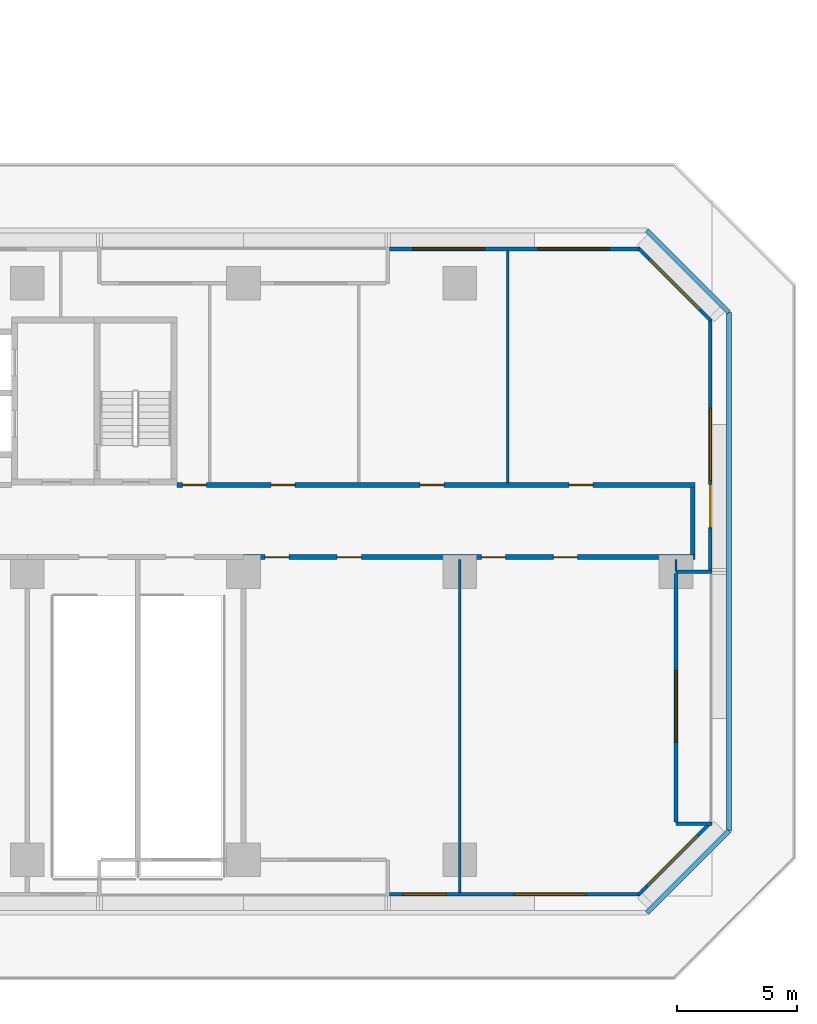
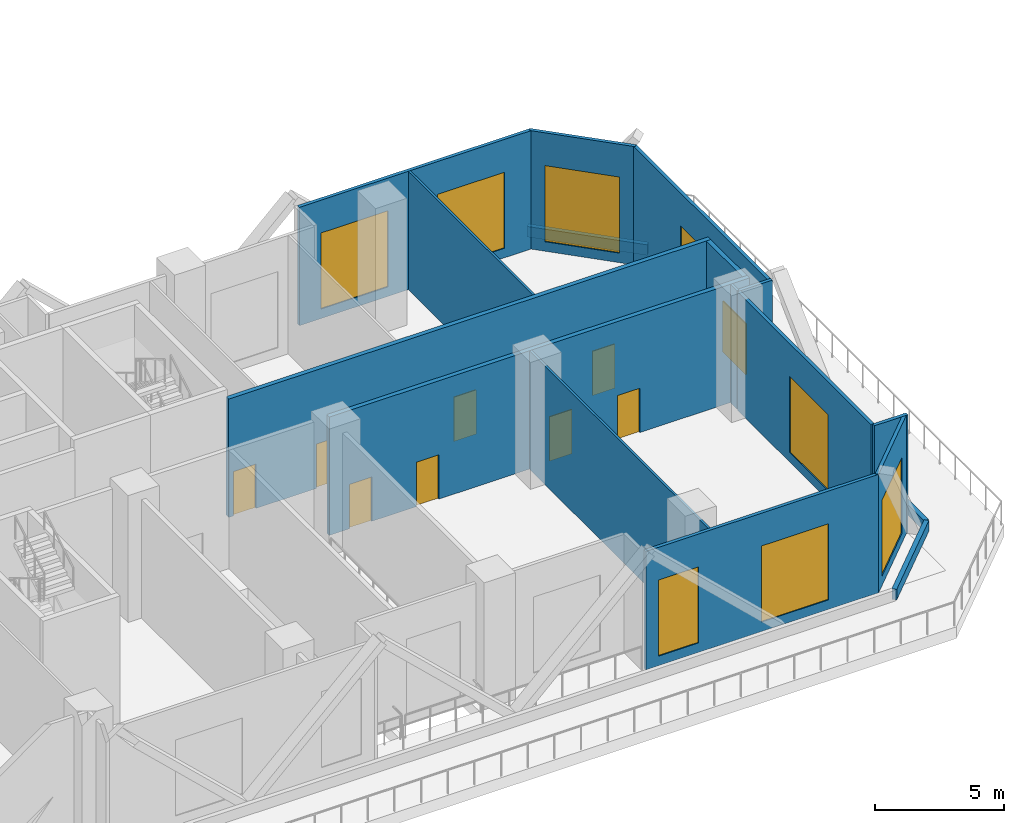
# One storey, part 9 of 16: 17 walls, 9 doors, 8 windows, 17 openings.
"""IFC4 building model written with IfcOpenShell, lengths in metres."""

from ifc_helpers import new_model, si_unit, direction, frame, frame_2d, origin, place, context, subcontext, project, spatial, rectangle, extrude, material, layer, layer_set, type_object, element, fill, save


model = new_model("IFC4")

# Units and contexts
model_context = context("Model", 3, precision=1e-05, world=origin(), true_north=direction((0.0, 1.0)))
body_context = subcontext(model_context, "Body", "Model", "MODEL_VIEW")
ifc_project = project(units=[si_unit("LENGTHUNIT", "METRE"), si_unit("AREAUNIT", "SQUARE_METRE"), si_unit("VOLUMEUNIT", "CUBIC_METRE"), si_unit("PLANEANGLEUNIT", "RADIAN"), si_unit("MASSUNIT", "GRAM", prefix="KILO")], contexts=[model_context])

# Site, building, storey
site_placement = place(None, origin())
site = spatial("IfcSite", under=ifc_project, at=site_placement, CompositionType="ELEMENT")
building_placement = place(site_placement, origin())
building = spatial("IfcBuilding", under=site, at=building_placement, Name="Chenar Terraces", CompositionType="ELEMENT")
storey_placement = place(building_placement, frame((0.0, 0.0, 35.39990234375)))
storey = spatial("IfcBuildingStorey", under=building, at=storey_placement, Name="L06", CompositionType="ELEMENT", Elevation=35.39990234375)

# Wall, openings, doors
ifc_material_1 = material(Name="Gypsum board on steel studs with fire boards", Category="steel")
ifc_layer_1 = layer(ifc_material_1, 0.199951171875)
ifc_layer_set_1 = layer_set([ifc_layer_1], Name="Gypsum board on steel studs with fire boards")
wall_type_1 = type_object("IfcWallType", Name="Corridor wall 200", PredefinedType="PARTITIONING", material=ifc_layer_set_1)
wall_1_placement = place(storey_placement, frame((51.22509765625, 15.60009765625, 0.0), z_axis=(0.0, 0.0, 1.0), x_axis=(1.0, 0.0, 0.0)))
wall_1 = element("IfcWall", 1, at=wall_1_placement, inside=storey, type_object=wall_type_1, Name="Partition L06-053", PredefinedType="PARTITIONING", context=body_context, shape_type="SweptSolid", body=[
    extrude(rectangle(XDim=21.574951171875, YDim=0.199951171875, at=frame_2d((10.78759765625, 0.0))), origin(), (0.0, 0.0, 1.0), 5.60009765625),
])
opening_1_placement = place(wall_1_placement, frame((0.22509765625, 0.0, 0.0)))
opening_1 = element("IfcOpeningElement", 2, at=opening_1_placement, cuts=wall_1, Name="Opening DL06-2", PredefinedType="OPENING", context=body_context, shape_type="SweptSolid", body=[
    extrude(rectangle(XDim=1.0, YDim=2.10009765625, at=frame_2d((0.5, 1.050048828125))), frame((0.0, 0.10986328125, 0.0), z_axis=(0.0, -1.0, 0.0), x_axis=(1.0, 0.0, 0.0)), (0.0, 0.0, 1.0), 0.219970703125),
])
opening_2_placement = place(wall_1_placement, frame((3.925048828125, 0.0, 0.0)))
opening_2 = element("IfcOpeningElement", 3, at=opening_2_placement, cuts=wall_1, Name="Opening DL06-3", PredefinedType="OPENING", context=body_context, shape_type="SweptSolid", body=[
    extrude(rectangle(XDim=1.0, YDim=2.10009765625, at=frame_2d((0.5, 1.050048828125))), frame((0.0, 0.10986328125, 0.0), z_axis=(0.0, -1.0, 0.0), x_axis=(1.0, 0.0, 0.0)), (0.0, 0.0, 1.0), 0.219970703125),
])
opening_3_placement = place(wall_1_placement, frame((10.125, 0.0, 0.0)))
opening_3 = element("IfcOpeningElement", 4, at=opening_3_placement, cuts=wall_1, Name="Opening DL06-4", PredefinedType="OPENING", context=body_context, shape_type="SweptSolid", body=[
    extrude(rectangle(XDim=1.0, YDim=2.10009765625, at=frame_2d((0.5, 1.050048828125))), frame((0.0, 0.10986328125, 0.0), z_axis=(0.0, -1.0, 0.0), x_axis=(1.0, 0.0, 0.0)), (0.0, 0.0, 1.0), 0.219970703125),
])
opening_4_placement = place(wall_1_placement, frame((16.324951171875, 0.0, 0.0)))
opening_4 = element("IfcOpeningElement", 5, at=opening_4_placement, cuts=wall_1, Name="Opening DL06-5", PredefinedType="OPENING", context=body_context, shape_type="SweptSolid", body=[
    extrude(rectangle(XDim=1.0, YDim=2.10009765625, at=frame_2d((0.5, 1.050048828125))), frame((0.0, 0.10986328125, 0.0), z_axis=(0.0, -1.0, 0.0), x_axis=(1.0, 0.0, 0.0)), (0.0, 0.0, 1.0), 0.219970703125),
])
ifc_material_2 = material(Name="Steel-framed fire-resisting door leaf", Category="steel")
door_type_1 = type_object("IfcDoorType", Name="Fire door FD60 1000 x 2100", OperationType="SINGLE_SWING_LEFT", PredefinedType="DOOR", material=ifc_material_2)
door_1_placement = place(opening_1_placement, origin())
door_1 = element("IfcDoor", 6, at=door_1_placement, inside=storey, type_object=door_type_1, Name="Door DL06-2", OperationType="SINGLE_SWING_RIGHT", OverallHeight=2.10009765625, OverallWidth=1.0, PredefinedType="DOOR", context=body_context, shape_type="SweptSolid", body=[
    extrude(rectangle(XDim=1.0, YDim=2.10009765625, at=frame_2d((0.5, 1.050048828125))), frame((0.0, 0.02490234375, 0.0), z_axis=(0.0, -1.0, 0.0), x_axis=(1.0, 0.0, 0.0)), (0.0, 0.0, 1.0), 0.050048828125),
])
fill(opening_1, door_1)
door_2_placement = place(opening_2_placement, origin())
door_2 = element("IfcDoor", 7, at=door_2_placement, inside=storey, type_object=door_type_1, Name="Door DL06-3", OperationType="SINGLE_SWING_LEFT", OverallHeight=2.10009765625, OverallWidth=1.0, PredefinedType="DOOR", context=body_context, shape_type="SweptSolid", body=[
    extrude(rectangle(XDim=1.0, YDim=2.10009765625, at=frame_2d((0.5, 1.050048828125))), frame((0.0, 0.02490234375, 0.0), z_axis=(0.0, -1.0, 0.0), x_axis=(1.0, 0.0, 0.0)), (0.0, 0.0, 1.0), 0.050048828125),
])
fill(opening_2, door_2)
door_3_placement = place(opening_3_placement, origin())
door_3 = element("IfcDoor", 8, at=door_3_placement, inside=storey, type_object=door_type_1, Name="Door DL06-4", OperationType="SINGLE_SWING_LEFT", OverallHeight=2.10009765625, OverallWidth=1.0, PredefinedType="DOOR", context=body_context, shape_type="SweptSolid", body=[
    extrude(rectangle(XDim=1.0, YDim=2.10009765625, at=frame_2d((0.5, 1.050048828125))), frame((0.0, 0.02490234375, 0.0), z_axis=(0.0, -1.0, 0.0), x_axis=(1.0, 0.0, 0.0)), (0.0, 0.0, 1.0), 0.050048828125),
])
fill(opening_3, door_3)
door_4_placement = place(opening_4_placement, origin())
door_4 = element("IfcDoor", 9, at=door_4_placement, inside=storey, type_object=door_type_1, Name="Door DL06-5", OperationType="SINGLE_SWING_LEFT", OverallHeight=2.10009765625, OverallWidth=1.0, PredefinedType="DOOR", context=body_context, shape_type="SweptSolid", body=[
    extrude(rectangle(XDim=1.0, YDim=2.10009765625, at=frame_2d((0.5, 1.050048828125))), frame((0.0, 0.02490234375, 0.0), z_axis=(0.0, -1.0, 0.0), x_axis=(1.0, 0.0, 0.0)), (0.0, 0.0, 1.0), 0.050048828125),
])
fill(opening_4, door_4)

wall_2_placement = place(storey_placement, frame((54.0, 12.60009765625, 0.0), z_axis=(0.0, 0.0, 1.0), x_axis=(1.0, 0.0, 0.0)))
wall_2 = element("IfcWall", 10, at=wall_2_placement, inside=storey, type_object=wall_type_1, Name="Partition L06-056", PredefinedType="PARTITIONING", context=body_context, shape_type="SweptSolid", body=[
    extrude(rectangle(XDim=18.800048828125, YDim=0.199951171875, at=frame_2d((9.39990234375, 0.0))), origin(), (0.0, 0.0, 1.0), 5.60009765625),
])
opening_5_placement = place(wall_2_placement, frame((3.89990234375, 0.0, 0.0)))
opening_5 = element("IfcOpeningElement", 11, at=opening_5_placement, cuts=wall_2, Name="Opening DL06-8", PredefinedType="OPENING", context=body_context, shape_type="SweptSolid", body=[
    extrude(rectangle(XDim=1.0, YDim=2.10009765625, at=frame_2d((0.5, 1.050048828125))), frame((0.0, 0.10986328125, 0.0), z_axis=(0.0, -1.0, 0.0), x_axis=(1.0, 0.0, 0.0)), (0.0, 0.0, 1.0), 0.219970703125),
])
opening_6_placement = place(wall_2_placement, frame((0.89990234375, 0.0, 0.0)))
opening_6 = element("IfcOpeningElement", 12, at=opening_6_placement, cuts=wall_2, Name="Opening DL06-9", PredefinedType="OPENING", context=body_context, shape_type="SweptSolid", body=[
    extrude(rectangle(XDim=1.0, YDim=2.10009765625, at=frame_2d((0.5, 1.050048828125))), frame((0.0, 0.10986328125, 0.0), z_axis=(0.0, -1.0, 0.0), x_axis=(1.0, 0.0, 0.0)), (0.0, 0.0, 1.0), 0.219970703125),
])
opening_7_placement = place(wall_2_placement, frame((12.89990234375, 0.0, 0.0)))
opening_7 = element("IfcOpeningElement", 13, at=opening_7_placement, cuts=wall_2, Name="Opening DL06-10", PredefinedType="OPENING", context=body_context, shape_type="SweptSolid", body=[
    extrude(rectangle(XDim=1.0, YDim=2.10009765625, at=frame_2d((0.5, 1.050048828125))), frame((0.0, 0.10986328125, 0.0), z_axis=(0.0, -1.0, 0.0), x_axis=(1.0, 0.0, 0.0)), (0.0, 0.0, 1.0), 0.219970703125),
])
opening_8_placement = place(wall_2_placement, frame((9.89990234375, 0.0, 0.0)))
opening_8 = element("IfcOpeningElement", 14, at=opening_8_placement, cuts=wall_2, Name="Opening DL06-11", PredefinedType="OPENING", context=body_context, shape_type="SweptSolid", body=[
    extrude(rectangle(XDim=1.0, YDim=2.10009765625, at=frame_2d((0.5, 1.050048828125))), frame((0.0, 0.10986328125, 0.0), z_axis=(0.0, -1.0, 0.0), x_axis=(1.0, 0.0, 0.0)), (0.0, 0.0, 1.0), 0.219970703125),
])
door_5_placement = place(opening_5_placement, frame((1.0, 0.0, 0.0), z_axis=(0.0, 0.0, 1.0), x_axis=(-1.0, 0.0, 0.0)))
door_5 = element("IfcDoor", 15, at=door_5_placement, inside=storey, type_object=door_type_1, Name="Door DL06-8", OperationType="SINGLE_SWING_RIGHT", OverallHeight=2.10009765625, OverallWidth=1.0, PredefinedType="DOOR", context=body_context, shape_type="SweptSolid", body=[
    extrude(rectangle(XDim=1.0, YDim=2.10009765625, at=frame_2d((0.5, 1.050048828125))), frame((0.0, 0.02490234375, 0.0), z_axis=(0.0, -1.0, 0.0), x_axis=(1.0, 0.0, 0.0)), (0.0, 0.0, 1.0), 0.050048828125),
])
fill(opening_5, door_5)
door_6_placement = place(opening_6_placement, frame((1.0, 0.0, 0.0), z_axis=(0.0, 0.0, 1.0), x_axis=(-1.0, 0.0, 0.0)))
door_6 = element("IfcDoor", 16, at=door_6_placement, inside=storey, type_object=door_type_1, Name="Door DL06-9", OperationType="SINGLE_SWING_RIGHT", OverallHeight=2.10009765625, OverallWidth=1.0, PredefinedType="DOOR", context=body_context, shape_type="SweptSolid", body=[
    extrude(rectangle(XDim=1.0, YDim=2.10009765625, at=frame_2d((0.5, 1.050048828125))), frame((0.0, 0.02490234375, 0.0), z_axis=(0.0, -1.0, 0.0), x_axis=(1.0, 0.0, 0.0)), (0.0, 0.0, 1.0), 0.050048828125),
])
fill(opening_6, door_6)
door_7_placement = place(opening_7_placement, frame((1.0, 0.0, 0.0), z_axis=(0.0, 0.0, 1.0), x_axis=(-1.0, 0.0, 0.0)))
door_7 = element("IfcDoor", 17, at=door_7_placement, inside=storey, type_object=door_type_1, Name="Door DL06-10", OperationType="SINGLE_SWING_RIGHT", OverallHeight=2.10009765625, OverallWidth=1.0, PredefinedType="DOOR", context=body_context, shape_type="SweptSolid", body=[
    extrude(rectangle(XDim=1.0, YDim=2.10009765625, at=frame_2d((0.5, 1.050048828125))), frame((0.0, 0.02490234375, 0.0), z_axis=(0.0, -1.0, 0.0), x_axis=(1.0, 0.0, 0.0)), (0.0, 0.0, 1.0), 0.050048828125),
])
fill(opening_7, door_7)
door_8_placement = place(opening_8_placement, frame((1.0, 0.0, 0.0), z_axis=(0.0, 0.0, 1.0), x_axis=(-1.0, 0.0, 0.0)))
door_8 = element("IfcDoor", 18, at=door_8_placement, inside=storey, type_object=door_type_1, Name="Door DL06-11", OperationType="SINGLE_SWING_RIGHT", OverallHeight=2.10009765625, OverallWidth=1.0, PredefinedType="DOOR", context=body_context, shape_type="SweptSolid", body=[
    extrude(rectangle(XDim=1.0, YDim=2.10009765625, at=frame_2d((0.5, 1.050048828125))), frame((0.0, 0.02490234375, 0.0), z_axis=(0.0, -1.0, 0.0), x_axis=(1.0, 0.0, 0.0)), (0.0, 0.0, 1.0), 0.050048828125),
])
fill(opening_8, door_8)

# Wall
wall_3_placement = place(storey_placement, frame((72.699951171875, 12.699951171875, 0.0), z_axis=(0.0, 0.0, 1.0), x_axis=(0.0, 1.0, 0.0)))
element("IfcWall", 19, at=wall_3_placement, inside=storey, type_object=wall_type_1, Name="Partition L06-061", PredefinedType="PARTITIONING", context=body_context, shape_type="SweptSolid", body=[
    extrude(rectangle(XDim=2.800048828125, YDim=0.199951171875, at=frame_2d((1.39990234375, 0.0))), origin(), (0.0, 0.0, 1.0), 5.60009765625),
])

# Wall, openings, windows
ifc_material_3 = material(Name="Aluminium framed glazing", Category="aluminium")
ifc_layer_2 = layer(ifc_material_3, 0.14990234375)
ifc_layer_set_2 = layer_set([ifc_layer_2], Name="Aluminium framed glazing")
wall_type_2 = type_object("IfcWallType", Name="Glazed flush facade wall 150", PredefinedType="SOLIDWALL", material=ifc_layer_set_2)
wall_4_placement = place(storey_placement, frame((70.5, 25.425048828125, 0.0), z_axis=(0.0, 0.0, 1.0), x_axis=(-1.0, 0.0, 0.0)))
wall_4 = element("IfcWall", 20, at=wall_4_placement, inside=storey, type_object=wall_type_2, Name="Glazed flush facade wall", PredefinedType="SOLIDWALL", context=body_context, shape_type="SweptSolid", body=[
    extrude(rectangle(XDim=10.425048828125, YDim=0.14990234375, at=frame_2d((5.21240234375, 0.0))), origin(), (0.0, 0.0, 1.0), 5.60009765625),
])
opening_9_placement = place(wall_4_placement, frame((1.25, 0.0, 0.449951171875)))
opening_9 = element("IfcOpeningElement", 21, at=opening_9_placement, cuts=wall_4, Name="Opening W300x360", PredefinedType="OPENING", context=body_context, shape_type="SweptSolid", body=[
    extrude(rectangle(XDim=3.0, YDim=3.60009765625, at=frame_2d((1.5, 1.800048828125))), frame((0.0, 0.0849609375, 0.0), z_axis=(0.0, -1.0, 0.0), x_axis=(1.0, 0.0, 0.0)), (0.0, 0.0, 1.0), 0.169921875),
])
opening_10_placement = place(wall_4_placement, frame((6.46240234375, 0.0, 0.449951171875)))
opening_10 = element("IfcOpeningElement", 22, at=opening_10_placement, cuts=wall_4, Name="Opening W300x360", PredefinedType="OPENING", context=body_context, shape_type="SweptSolid", body=[
    extrude(rectangle(XDim=3.0, YDim=3.60009765625, at=frame_2d((1.5, 1.800048828125))), frame((0.0, 0.0849609375, 0.0), z_axis=(0.0, -1.0, 0.0), x_axis=(1.0, 0.0, 0.0)), (0.0, 0.0, 1.0), 0.169921875),
])
ifc_material_4 = material(Name="Low emissivity double glazing, aluminium frame", Category="aluminium")
window_type_1 = type_object("IfcWindowType", Name="Fixed light 3000 x 3600", PartitioningType="SINGLE_PANEL", PredefinedType="WINDOW", material=ifc_material_4)
window_1_placement = place(opening_9_placement, origin())
window_1 = element("IfcWindow", 23, at=window_1_placement, inside=storey, type_object=window_type_1, Name="Window", OverallHeight=3.60009765625, OverallWidth=3.0, PartitioningType="SINGLE_PANEL", PredefinedType="WINDOW", context=body_context, shape_type="SweptSolid", body=[
    extrude(rectangle(XDim=3.0, YDim=3.60009765625, at=frame_2d((1.5, 1.800048828125))), frame((0.0, 0.030029296875, 0.0), z_axis=(0.0, -1.0, 0.0), x_axis=(1.0, 0.0, 0.0)), (0.0, 0.0, 1.0), 0.06005859375),
])
fill(opening_9, window_1)
window_2_placement = place(opening_10_placement, origin())
window_2 = element("IfcWindow", 24, at=window_2_placement, inside=storey, type_object=window_type_1, Name="Window", OverallHeight=3.60009765625, OverallWidth=3.0, PartitioningType="SINGLE_PANEL", PredefinedType="WINDOW", context=body_context, shape_type="SweptSolid", body=[
    extrude(rectangle(XDim=3.0, YDim=3.60009765625, at=frame_2d((1.5, 1.800048828125))), frame((0.0, 0.030029296875, 0.0), z_axis=(0.0, -1.0, 0.0), x_axis=(1.0, 0.0, 0.0)), (0.0, 0.0, 1.0), 0.06005859375),
])
fill(opening_10, window_2)

wall_5_placement = place(storey_placement, frame((60.074951171875, -1.425048828125, 0.0), z_axis=(0.0, 0.0, 1.0), x_axis=(1.0, 0.0, 0.0)))
wall_5 = element("IfcWall", 25, at=wall_5_placement, inside=storey, type_object=wall_type_2, Name="Glazed flush facade wall", PredefinedType="SOLIDWALL", context=body_context, shape_type="SweptSolid", body=[
    extrude(rectangle(XDim=10.425048828125, YDim=0.14990234375, at=frame_2d((5.21240234375, 0.0))), origin(), (0.0, 0.0, 1.0), 5.60009765625),
])
opening_11_placement = place(wall_5_placement, frame((0.5625, 0.0, 0.449951171875)))
opening_11 = element("IfcOpeningElement", 26, at=opening_11_placement, cuts=wall_5, Name="Opening W180x360", PredefinedType="OPENING", context=body_context, shape_type="SweptSolid", body=[
    extrude(rectangle(XDim=1.800048828125, YDim=3.60009765625, at=frame_2d((0.89990234375, 1.800048828125))), frame((0.0, 0.0849609375, 0.0), z_axis=(0.0, -1.0, 0.0), x_axis=(1.0, 0.0, 0.0)), (0.0, 0.0, 1.0), 0.169921875),
])
opening_12_placement = place(wall_5_placement, frame((5.175048828125, 0.0, 0.449951171875)))
opening_12 = element("IfcOpeningElement", 27, at=opening_12_placement, cuts=wall_5, Name="Opening W300x360", PredefinedType="OPENING", context=body_context, shape_type="SweptSolid", body=[
    extrude(rectangle(XDim=3.0, YDim=3.60009765625, at=frame_2d((1.5, 1.800048828125))), frame((0.0, 0.0849609375, 0.0), z_axis=(0.0, -1.0, 0.0), x_axis=(1.0, 0.0, 0.0)), (0.0, 0.0, 1.0), 0.169921875),
])
ifc_material_5 = material(Name="Low emissivity double glazing, aluminium frame", Category="aluminium")
window_type_2 = type_object("IfcWindowType", Name="Fixed light 1800 x 3600", PartitioningType="SINGLE_PANEL", PredefinedType="WINDOW", material=ifc_material_5)
window_3_placement = place(opening_11_placement, origin())
window_3 = element("IfcWindow", 28, at=window_3_placement, inside=storey, type_object=window_type_2, Name="Window", OverallHeight=3.60009765625, OverallWidth=1.800048828125, PartitioningType="SINGLE_PANEL", PredefinedType="WINDOW", context=body_context, shape_type="SweptSolid", body=[
    extrude(rectangle(XDim=1.800048828125, YDim=3.60009765625, at=frame_2d((0.89990234375, 1.800048828125))), frame((0.0, 0.030029296875, 0.0), z_axis=(0.0, -1.0, 0.0), x_axis=(1.0, 0.0, 0.0)), (0.0, 0.0, 1.0), 0.06005859375),
])
fill(opening_11, window_3)
window_4_placement = place(opening_12_placement, origin())
window_4 = element("IfcWindow", 29, at=window_4_placement, inside=storey, type_object=window_type_1, Name="Window", OverallHeight=3.60009765625, OverallWidth=3.0, PartitioningType="SINGLE_PANEL", PredefinedType="WINDOW", context=body_context, shape_type="SweptSolid", body=[
    extrude(rectangle(XDim=3.0, YDim=3.60009765625, at=frame_2d((1.5, 1.800048828125))), frame((0.0, 0.030029296875, 0.0), z_axis=(0.0, -1.0, 0.0), x_axis=(1.0, 0.0, 0.0)), (0.0, 0.0, 1.0), 0.06005859375),
])
fill(opening_12, window_4)

# Wall, openings, window, door
wall_6_placement = place(storey_placement, frame((73.425048828125, 12.074951171875, 0.0), z_axis=(0.0, 0.0, 1.0), x_axis=(0.0, 1.0, 0.0)))
wall_6 = element("IfcWall", 30, at=wall_6_placement, inside=storey, type_object=wall_type_2, Name="Glazed flush facade wall", PredefinedType="SOLIDWALL", context=body_context, shape_type="SweptSolid", body=[
    extrude(rectangle(XDim=10.425048828125, YDim=0.14990234375, at=frame_2d((5.21240234375, 0.0))), origin(), (0.0, 0.0, 1.0), 5.60009765625),
])
opening_13_placement = place(wall_6_placement, frame((3.71240234375, 0.0, 0.449951171875)))
opening_13 = element("IfcOpeningElement", 31, at=opening_13_placement, cuts=wall_6, Name="Opening W300x360", PredefinedType="OPENING", context=body_context, shape_type="SweptSolid", body=[
    extrude(rectangle(XDim=3.0, YDim=3.60009765625, at=frame_2d((1.5, 1.800048828125))), frame((0.0, 0.0849609375, 0.0), z_axis=(0.0, -1.0, 0.0), x_axis=(1.0, 0.0, 0.0)), (0.0, 0.0, 1.0), 0.169921875),
])
opening_14_placement = place(wall_6_placement, frame((1.75, 0.0, 0.0)))
opening_14 = element("IfcOpeningElement", 32, at=opening_14_placement, cuts=wall_6, Name="Opening DL06-X1", PredefinedType="OPENING", context=body_context, shape_type="SweptSolid", body=[
    extrude(rectangle(XDim=1.800048828125, YDim=2.39990234375, at=frame_2d((0.89990234375, 1.199951171875))), frame((0.0, 0.0849609375, 0.0), z_axis=(0.0, -1.0, 0.0), x_axis=(1.0, 0.0, 0.0)), (0.0, 0.0, 1.0), 0.169921875),
])
window_5_placement = place(opening_13_placement, origin())
window_5 = element("IfcWindow", 33, at=window_5_placement, inside=storey, type_object=window_type_1, Name="Window", OverallHeight=3.60009765625, OverallWidth=3.0, PartitioningType="SINGLE_PANEL", PredefinedType="WINDOW", context=body_context, shape_type="SweptSolid", body=[
    extrude(rectangle(XDim=3.0, YDim=3.60009765625, at=frame_2d((1.5, 1.800048828125))), frame((0.0, 0.030029296875, 0.0), z_axis=(0.0, -1.0, 0.0), x_axis=(1.0, 0.0, 0.0)), (0.0, 0.0, 1.0), 0.06005859375),
])
fill(opening_13, window_5)
ifc_material_6 = material(Name="Low emissivity double glazing, aluminium frame", Category="aluminium")
door_type_2 = type_object("IfcDoorType", Name="Terrace glazed double door 1800 x 2400", OperationType="DOUBLE_DOOR_SINGLE_SWING", PredefinedType="DOOR", material=ifc_material_6)
door_9_placement = place(opening_14_placement, frame((1.800048828125, 0.0, 0.0), z_axis=(0.0, 0.0, 1.0), x_axis=(-1.0, 0.0, 0.0)))
door_9 = element("IfcDoor", 34, at=door_9_placement, inside=storey, type_object=door_type_2, Name="Terrace glazed door", OperationType="DOUBLE_DOOR_SINGLE_SWING", OverallHeight=2.39990234375, OverallWidth=1.800048828125, PredefinedType="DOOR", context=body_context, shape_type="SweptSolid", body=[
    extrude(rectangle(XDim=1.800048828125, YDim=2.39990234375, at=frame_2d((0.89990234375, 1.199951171875))), frame((0.0, 0.02490234375, 0.0), z_axis=(0.0, -1.0, 0.0), x_axis=(1.0, 0.0, 0.0)), (0.0, 0.0, 1.0), 0.050048828125),
])
fill(opening_14, door_9)

# Wall, opening, window
ifc_material_7 = material(Name="Aluminium framed glazing", Category="aluminium")
ifc_layer_3 = layer(ifc_material_7, 0.14990234375)
ifc_layer_set_3 = layer_set([ifc_layer_3], Name="Aluminium framed glazing")
wall_type_3 = type_object("IfcWallType", Name="Glazed loggia back wall 150", PredefinedType="SOLIDWALL", material=ifc_layer_set_3)
wall_7_placement = place(storey_placement, frame((72.0, 1.574951171875, 0.0), z_axis=(0.0, 0.0, 1.0), x_axis=(0.0, 1.0, 0.0)))
wall_7 = element("IfcWall", 35, at=wall_7_placement, inside=storey, type_object=wall_type_3, Name="Glazed loggia back wall", PredefinedType="SOLIDWALL", context=body_context, shape_type="SweptSolid", body=[
    extrude(rectangle(XDim=10.35009765625, YDim=0.14990234375, at=frame_2d((5.175048828125, 0.0))), origin(), (0.0, 0.0, 1.0), 5.60009765625),
])
opening_15_placement = place(wall_7_placement, frame((3.3125, 0.0, 0.449951171875)))
opening_15 = element("IfcOpeningElement", 36, at=opening_15_placement, cuts=wall_7, Name="Opening W300x360", PredefinedType="OPENING", context=body_context, shape_type="SweptSolid", body=[
    extrude(rectangle(XDim=3.0, YDim=3.60009765625, at=frame_2d((1.5, 1.800048828125))), frame((0.0, 0.0849609375, 0.0), z_axis=(0.0, -1.0, 0.0), x_axis=(1.0, 0.0, 0.0)), (0.0, 0.0, 1.0), 0.169921875),
])
window_6_placement = place(opening_15_placement, origin())
window_6 = element("IfcWindow", 37, at=window_6_placement, inside=storey, type_object=window_type_1, Name="Window", OverallHeight=3.60009765625, OverallWidth=3.0, PartitioningType="SINGLE_PANEL", PredefinedType="WINDOW", context=body_context, shape_type="SweptSolid", body=[
    extrude(rectangle(XDim=3.0, YDim=3.60009765625, at=frame_2d((1.5, 1.800048828125))), frame((0.0, 0.030029296875, 0.0), z_axis=(0.0, -1.0, 0.0), x_axis=(1.0, 0.0, 0.0)), (0.0, 0.0, 1.0), 0.06005859375),
])
fill(opening_15, window_6)

# Walls
ifc_material_8 = material(Name="Gypsum board on steel studs", Category="steel")
ifc_layer_4 = layer(ifc_material_8, 0.10009765625)
ifc_layer_set_4 = layer_set([ifc_layer_4], Name="Gypsum board on steel studs")
wall_type_4 = type_object("IfcWallType", Name="Gypsum partition 100", PredefinedType="PARTITIONING", material=ifc_layer_set_4)
wall_8_placement = place(storey_placement, frame((63.0, -1.35107421875, 0.0), z_axis=(0.0, 0.0, 1.0), x_axis=(0.0, 1.0, 0.0)))
element("IfcWall", 38, at=wall_8_placement, inside=storey, type_object=wall_type_4, Name="Partition L06-058", PredefinedType="PARTITIONING", context=body_context, shape_type="SweptSolid", body=[
    extrude(rectangle(XDim=13.85107421875, YDim=0.10009765625, at=frame_2d((6.925537109375, 0.0))), origin(), (0.0, 0.0, 1.0), 5.60009765625),
])
wall_9_placement = place(storey_placement, frame((65.0, 15.699951171875, 0.0), z_axis=(0.0, 0.0, 1.0), x_axis=(0.0, 1.0, 0.0)))
element("IfcWall", 39, at=wall_9_placement, inside=storey, type_object=wall_type_4, Name="Partition L06-059", PredefinedType="PARTITIONING", context=body_context, shape_type="SweptSolid", body=[
    extrude(rectangle(XDim=9.651123046875, YDim=0.10009765625, at=frame_2d((4.82568359375, 0.0))), origin(), (0.0, 0.0, 1.0), 5.60009765625),
])
wall_10_placement = place(storey_placement, frame((72.0, 12.0, 0.0), z_axis=(0.0, 0.0, 1.0), x_axis=(0.0, 1.0, 0.0)))
element("IfcWall", 40, at=wall_10_placement, inside=storey, type_object=wall_type_4, Name="Partition L06-060", PredefinedType="PARTITIONING", context=body_context, shape_type="SweptSolid", body=[
    extrude(rectangle(XDim=0.5, YDim=0.10009765625, at=frame_2d((0.25, 0.0))), origin(), (0.0, 0.0, 1.0), 5.60009765625),
])
ifc_material_9 = material(Name="Terracotta cladding on insulated backing", Category="masonry")
ifc_layer_5 = layer(ifc_material_9, 0.14990234375)
ifc_layer_set_5 = layer_set([ifc_layer_5], Name="Terracotta cladding on insulated backing")
wall_type_5 = type_object("IfcWallType", Name="Loggia return wall 150", PredefinedType="SOLIDWALL", material=ifc_layer_set_5)
for number, where, z_axis, x_axis, name in (
    (41, (73.5, 1.5, 0.0), (0.0, 0.0, 1.0), (-1.0, 0.0, 0.0), "Loggia return wall"),
    (42, (73.5, 12.0, 0.0), (0.0, 0.0, 1.0), (-1.0, 0.0, 0.0), "Loggia return wall"),
):
    element("IfcWall", number, at=place(storey_placement, frame(where, z_axis=z_axis, x_axis=x_axis)), inside=storey, type_object=wall_type_5, Name=name, PredefinedType="SOLIDWALL", context=body_context, shape_type="SweptSolid", body=[
        extrude(rectangle(XDim=1.5, YDim=0.14990234375, at=frame_2d((0.75, 0.0))), origin(), (0.0, 0.0, 1.0), 5.60009765625),
    ])
ifc_material_10 = material(Name="Terracotta cladding on insulated backing", Category="masonry")
ifc_layer_6 = layer(ifc_material_10, 0.199951171875)
ifc_layer_set_6 = layer_set([ifc_layer_6], Name="Terracotta cladding on insulated backing")
wall_type_6 = type_object("IfcWallType", Name="Terrace parapet upstand 200", PredefinedType="PARAPET", material=ifc_layer_set_6)
wall_11_placement = place(storey_placement, frame((70.7900390625, 26.199951171875, 0.0), z_axis=(0.0, 0.0, 1.0), x_axis=(0.707106781187, -0.707106781187, 0.0)))
element("IfcWall", 43, at=wall_11_placement, inside=storey, type_object=wall_type_6, Name="Terrace parapet", PredefinedType="PARAPET", context=body_context, shape_type="SweptSolid", body=[
    extrude(rectangle(XDim=4.822265625, YDim=0.199951171875, at=frame_2d((2.4111328125, 0.0))), origin(), (0.0, 0.0, 1.0), 0.5),
])
wall_12_placement = place(storey_placement, frame((74.199951171875, 22.7900390625, 0.0), z_axis=(0.0, 0.0, 1.0), x_axis=(0.0, -1.0, 0.0)))
element("IfcWall", 44, at=wall_12_placement, inside=storey, type_object=wall_type_6, Name="Terrace parapet", PredefinedType="PARAPET", context=body_context, shape_type="SweptSolid", body=[
    extrude(rectangle(XDim=21.580078125, YDim=0.199951171875, at=frame_2d((10.7900390625, 0.0))), origin(), (0.0, 0.0, 1.0), 0.5),
])
wall_13_placement = place(storey_placement, frame((74.199951171875, 1.2099609375, 0.0), z_axis=(0.0, 0.0, 1.0), x_axis=(-0.707106781187, -0.707106781187, 0.0)))
element("IfcWall", 45, at=wall_13_placement, inside=storey, type_object=wall_type_6, Name="Terrace parapet", PredefinedType="PARAPET", context=body_context, shape_type="SweptSolid", body=[
    extrude(rectangle(XDim=4.822265625, YDim=0.199951171875, at=frame_2d((2.4111328125, 0.0))), origin(), (0.0, 0.0, 1.0), 0.5),
])

# Wall, opening, window
ifc_material_11 = material(Name="Terracotta cladding on insulated backing", Category="masonry")
ifc_layer_7 = layer(ifc_material_11, 0.14990234375)
ifc_layer_set_7 = layer_set([ifc_layer_7], Name="Terracotta cladding on insulated backing")
wall_type_7 = type_object("IfcWallType", Name="Terracotta rainscreen wall 150", PredefinedType="SOLIDWALL", material=ifc_layer_set_7)
wall_14_placement = place(storey_placement, frame((70.447021484375, -1.447021484375, 0.0), z_axis=(0.0, 0.0, 1.0), x_axis=(0.707106781187, 0.707106781187, 0.0)))
wall_14 = element("IfcWall", 46, at=wall_14_placement, inside=storey, type_object=wall_type_7, Name="Terracotta rainscreen wall", PredefinedType="SOLIDWALL", context=body_context, shape_type="SweptSolid", body=[
    extrude(rectangle(XDim=4.24267578125, YDim=0.14990234375, at=frame_2d((2.121337890625, 0.0))), origin(), (0.0, 0.0, 1.0), 5.60009765625),
])
opening_16_placement = place(wall_14_placement, frame((0.498046875, 0.0, 0.449951171875)))
opening_16 = element("IfcOpeningElement", 47, at=opening_16_placement, cuts=wall_14, Name="Opening W300x360", PredefinedType="OPENING", context=body_context, shape_type="SweptSolid", body=[
    extrude(rectangle(XDim=3.0, YDim=3.60009765625, at=frame_2d((1.5, 1.800048828125))), frame((0.0, 0.0849609375, 0.0), z_axis=(0.0, -1.0, 0.0), x_axis=(1.0, 0.0, 0.0)), (0.0, 0.0, 1.0), 0.169921875),
])
window_7_placement = place(opening_16_placement, origin())
window_7 = element("IfcWindow", 48, at=window_7_placement, inside=storey, type_object=window_type_1, Name="Window", OverallHeight=3.60009765625, OverallWidth=3.0, PartitioningType="SINGLE_PANEL", PredefinedType="WINDOW", context=body_context, shape_type="SweptSolid", body=[
    extrude(rectangle(XDim=3.0, YDim=3.60009765625, at=frame_2d((1.5, 1.800048828125))), frame((0.0, 0.030029296875, 0.0), z_axis=(0.0, -1.0, 0.0), x_axis=(1.0, 0.0, 0.0)), (0.0, 0.0, 1.0), 0.06005859375),
])
fill(opening_16, window_7)

wall_15_placement = place(storey_placement, frame((73.447021484375, 22.447021484375, 0.0), z_axis=(0.0, 0.0, 1.0), x_axis=(-0.707106781187, 0.707106781187, 0.0)))
wall_15 = element("IfcWall", 49, at=wall_15_placement, inside=storey, type_object=wall_type_7, Name="Terracotta rainscreen wall", PredefinedType="SOLIDWALL", context=body_context, shape_type="SweptSolid", body=[
    extrude(rectangle(XDim=4.24267578125, YDim=0.14990234375, at=frame_2d((2.121337890625, 0.0))), origin(), (0.0, 0.0, 1.0), 5.60009765625),
])
opening_17_placement = place(wall_15_placement, frame((0.621337890625, 0.0, 0.449951171875)))
opening_17 = element("IfcOpeningElement", 50, at=opening_17_placement, cuts=wall_15, Name="Opening W300x360", PredefinedType="OPENING", context=body_context, shape_type="SweptSolid", body=[
    extrude(rectangle(XDim=3.0, YDim=3.60009765625, at=frame_2d((1.5, 1.800048828125))), frame((0.0, 0.0849609375, 0.0), z_axis=(0.0, -1.0, 0.0), x_axis=(1.0, 0.0, 0.0)), (0.0, 0.0, 1.0), 0.169921875),
])
window_8_placement = place(opening_17_placement, origin())
window_8 = element("IfcWindow", 51, at=window_8_placement, inside=storey, type_object=window_type_1, Name="Window", OverallHeight=3.60009765625, OverallWidth=3.0, PartitioningType="SINGLE_PANEL", PredefinedType="WINDOW", context=body_context, shape_type="SweptSolid", body=[
    extrude(rectangle(XDim=3.0, YDim=3.60009765625, at=frame_2d((1.5, 1.800048828125))), frame((0.0, 0.030029296875, 0.0), z_axis=(0.0, -1.0, 0.0), x_axis=(1.0, 0.0, 0.0)), (0.0, 0.0, 1.0), 0.06005859375),
])
fill(opening_17, window_8)

save(model, "model.ifc")
